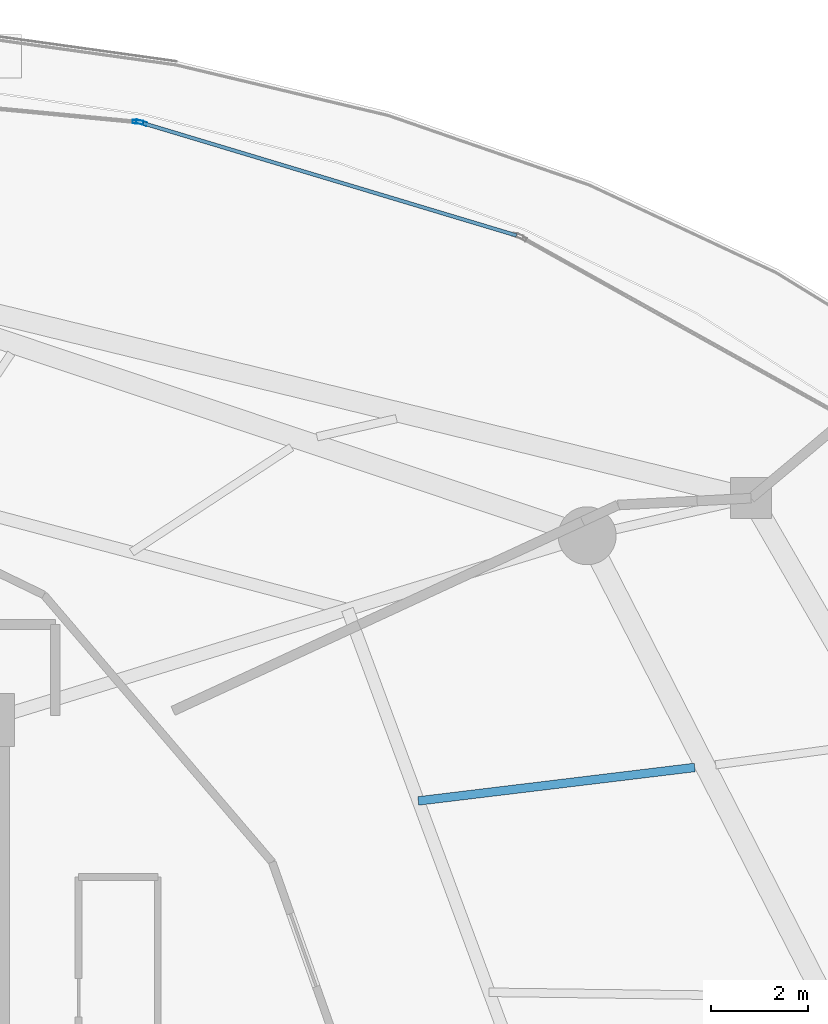
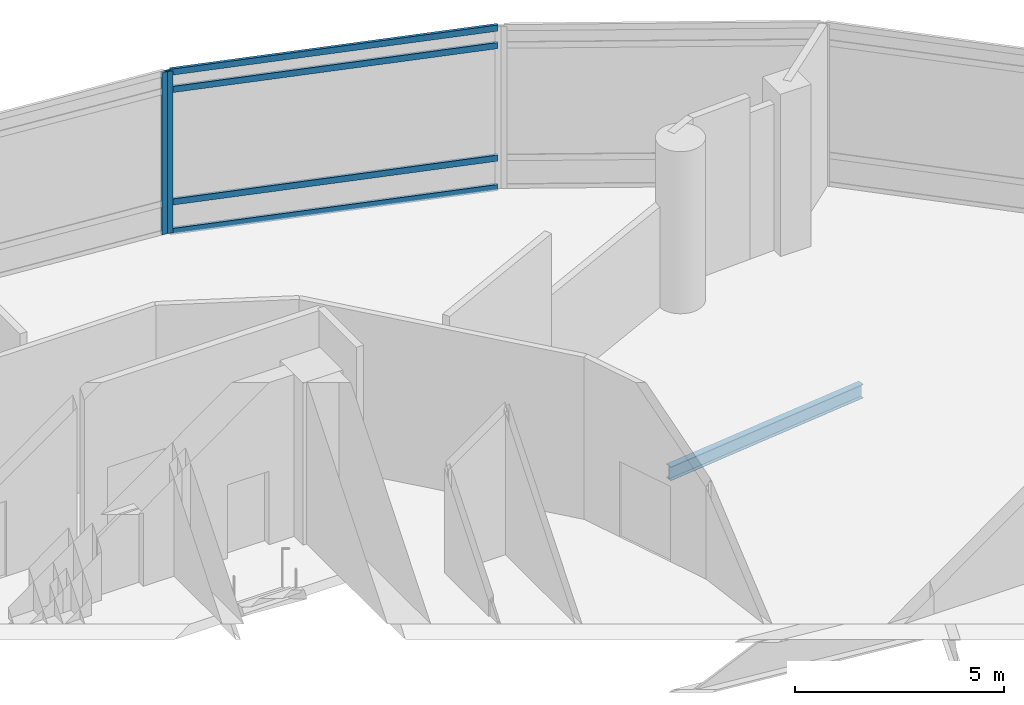
# One storey, part 19 of 34: 6 members, 1 beam, 2 elements without a shape of their own.
"""IFC4 building model written with IfcOpenShell, lengths in metres."""

from ifc_helpers import new_model, si_unit, direction, frame, origin, origin_2d, place, context, subcontext, project, spatial, hollow_rectangle, i_section, extrude, material, layer, layer_set, material_profile, profile_set, type_object, element, aggregate, save


model = new_model("IFC4")

# Units and contexts
model_context = context("Model", 3, precision=1e-05, world=origin(), true_north=direction((0.0, 1.0)))
body_context = subcontext(model_context, "Body", "Model", "MODEL_VIEW")
ifc_project = project(units=[si_unit("LENGTHUNIT", "METRE"), si_unit("AREAUNIT", "SQUARE_METRE"), si_unit("VOLUMEUNIT", "CUBIC_METRE"), si_unit("PLANEANGLEUNIT", "RADIAN"), si_unit("MASSUNIT", "GRAM", prefix="KILO")], contexts=[model_context])

# Site, building, storey
site_placement = place(None, origin())
site = spatial("IfcSite", under=ifc_project, at=site_placement, CompositionType="ELEMENT")
building_placement = place(site_placement, origin())
building = spatial("IfcBuilding", under=site, at=building_placement, Name="Nuhasar Tower", CompositionType="ELEMENT")
storey_placement = place(building_placement, frame((0.0, 0.0, 16.0)))
storey = spatial("IfcBuildingStorey", under=building, at=storey_placement, Name="L03", CompositionType="ELEMENT", Elevation=16.0)

# Beam
ifc_material_1 = material(Name="Steel S355", Category="steel")
ifc_material_profile_1 = material_profile(ifc_material_1, i_section(OverallWidth=0.177978515625, OverallDepth=0.406005859375, WebThickness=0.0078125, FlangeThickness=0.0126953125, at=origin_2d()), Name="W16X40")
ifc_profile_set_1 = profile_set([ifc_material_profile_1], Name="Steel S355")
beam_type = type_object("IfcBeamType", Name="BM-JST-W16X40", PredefinedType="JOIST", material=ifc_profile_set_1)
beam_placement = place(storey_placement, frame((53.215087890625, 35.626953125, -0.5029296875), z_axis=(0.992752923061, 0.120173348764, 0.0), x_axis=(-0.120173348764, 0.992752923061, 0.0)))
element("IfcBeam", 1, at=beam_placement, inside=storey, type_object=beam_type, Name="L03 Secondary Floor Joist 08", PredefinedType="JOIST", context=body_context, shape_type="SweptSolid", body=[
    extrude(i_section(OverallWidth=0.177978515625, OverallDepth=0.406005859375, WebThickness=0.0078125, FlangeThickness=0.0126953125, at=origin_2d()), origin(), (0.0, 0.0, 1.0), 5.767578125),
])

# Curtain wall, member
ifc_material_2 = material(Name="Aluminium 6063-T6", Category="aluminium")
ifc_layer = layer(ifc_material_2, 0.219970703125)
ifc_layer_set = layer_set([ifc_layer], Name="Aluminium 6063-T6")
curtain_wall_type = type_object("IfcCurtainWallType", Name="CW-PODIUM", PredefinedType="NOTDEFINED", material=ifc_layer_set)
curtain_wall_1_placement = place(storey_placement, origin())
curtain_wall_1 = element("IfcCurtainWall", 2, at=curtain_wall_1_placement, inside=storey, type_object=curtain_wall_type, Name="L03 Podium Curtain Wall Bay 05", PredefinedType="NOTDEFINED")
ifc_material_profile_2 = material_profile(ifc_material_2, hollow_rectangle(XDim=0.074951171875, YDim=0.219970703125, WallThickness=0.0048828125, at=origin_2d()), Name="CWM-1")
ifc_profile_set_2 = profile_set([ifc_material_profile_2], Name="Aluminium 6063-T6")
member_type_1 = type_object("IfcMemberType", Name="CW-MUL-S1", PredefinedType="MULLION", material=ifc_profile_set_2)
member_1_placement = place(storey_placement, frame((47.48388671875, 49.672119140625, 0.0), z_axis=(0.0, 0.0, 1.0), x_axis=(-0.287950508783, -0.957645291583, 0.0)))
member_1 = element("IfcMember", 3, at=member_1_placement, type_object=member_type_1, Name="CW-P1 mullion 2", PredefinedType="MULLION", context=body_context, shape_type="SweptSolid", body=[
    extrude(hollow_rectangle(XDim=0.074951171875, YDim=0.219970703125, WallThickness=0.0048828125, at=origin_2d()), origin(), (0.0, 0.0, 1.0), 4.739990234375),
])

curtain_wall_2_placement = place(storey_placement, origin())
curtain_wall_2 = element("IfcCurtainWall", 4, at=curtain_wall_2_placement, inside=storey, type_object=curtain_wall_type, Name="L03 Podium Curtain Wall Bay 06", PredefinedType="NOTDEFINED")
member_2_placement = place(storey_placement, frame((47.41064453125, 49.6865234375, 0.0), z_axis=(0.0, 0.0, 1.0), x_axis=(-0.095092686697, -0.995468422873, 0.0)))
member_2 = element("IfcMember", 5, at=member_2_placement, type_object=member_type_1, Name="CW-P1 mullion 1", PredefinedType="MULLION", context=body_context, shape_type="SweptSolid", body=[
    extrude(hollow_rectangle(XDim=0.074951171875, YDim=0.219970703125, WallThickness=0.0048828125, at=origin_2d()), origin(), (0.0, 0.0, 1.0), 4.739990234375),
])
aggregate(curtain_wall_2, [member_2])

# Member
ifc_material_profile_3 = material_profile(ifc_material_2, hollow_rectangle(XDim=0.074951171875, YDim=0.179931640625, WallThickness=0.00439453125, at=origin_2d()), Name="CWT-1")
ifc_profile_set_3 = profile_set([ifc_material_profile_3], Name="Aluminium 6063-T6")
member_type_2 = type_object("IfcMemberType", Name="CW-TRN-S1", PredefinedType="USERDEFINED", material=ifc_profile_set_3)
member_3_placement = place(storey_placement, frame((55.248291015625, 47.337646484375, 0.03759765625), z_axis=(-0.957649589669, 0.287936214129, 0.0), x_axis=(-0.287936214129, -0.957649589669, 0.0)))
member_3 = element("IfcMember", 6, at=member_3_placement, type_object=member_type_2, Name="CW-P1 transom 1.1", ObjectType="TRANSOM", PredefinedType="USERDEFINED", context=body_context, shape_type="SweptSolid", body=[
    extrude(hollow_rectangle(XDim=0.074951171875, YDim=0.179931640625, WallThickness=0.00439453125, at=origin_2d()), origin(), (0.0, 0.0, 1.0), 8.0703125),
])

member_4_placement = place(storey_placement, frame((55.248291015625, 47.337646484375, 0.89990234375), z_axis=(-0.957649589669, 0.287936214129, 0.0), x_axis=(-0.287936214129, -0.957649589669, 0.0)))
member_4 = element("IfcMember", 7, at=member_4_placement, type_object=member_type_2, Name="CW-P1 transom 1.2", ObjectType="TRANSOM", PredefinedType="USERDEFINED", context=body_context, shape_type="SweptSolid", body=[
    extrude(hollow_rectangle(XDim=0.074951171875, YDim=0.179931640625, WallThickness=0.00439453125, at=origin_2d()), origin(), (0.0, 0.0, 1.0), 8.0703125),
])

member_5_placement = place(storey_placement, frame((55.248291015625, 47.337646484375, 4.18994140625), z_axis=(-0.957649589669, 0.287936214129, 0.0), x_axis=(-0.287936214129, -0.957649589669, 0.0)))
member_5 = element("IfcMember", 8, at=member_5_placement, type_object=member_type_2, Name="CW-P1 transom 1.3", ObjectType="TRANSOM", PredefinedType="USERDEFINED", context=body_context, shape_type="SweptSolid", body=[
    extrude(hollow_rectangle(XDim=0.074951171875, YDim=0.179931640625, WallThickness=0.00439453125, at=origin_2d()), origin(), (0.0, 0.0, 1.0), 8.0703125),
])

member_6_placement = place(storey_placement, frame((55.248291015625, 47.337646484375, 4.702392578125), z_axis=(-0.957649589669, 0.287936214129, 0.0), x_axis=(-0.287936214129, -0.957649589669, 0.0)))
member_6 = element("IfcMember", 9, at=member_6_placement, type_object=member_type_2, Name="CW-P1 transom 1.4", ObjectType="TRANSOM", PredefinedType="USERDEFINED", context=body_context, shape_type="SweptSolid", body=[
    extrude(hollow_rectangle(XDim=0.074951171875, YDim=0.179931640625, WallThickness=0.00439453125, at=origin_2d()), origin(), (0.0, 0.0, 1.0), 8.0703125),
])

aggregate(curtain_wall_1, [member_1, member_3, member_4, member_5, member_6])

save(model, "model.ifc")
